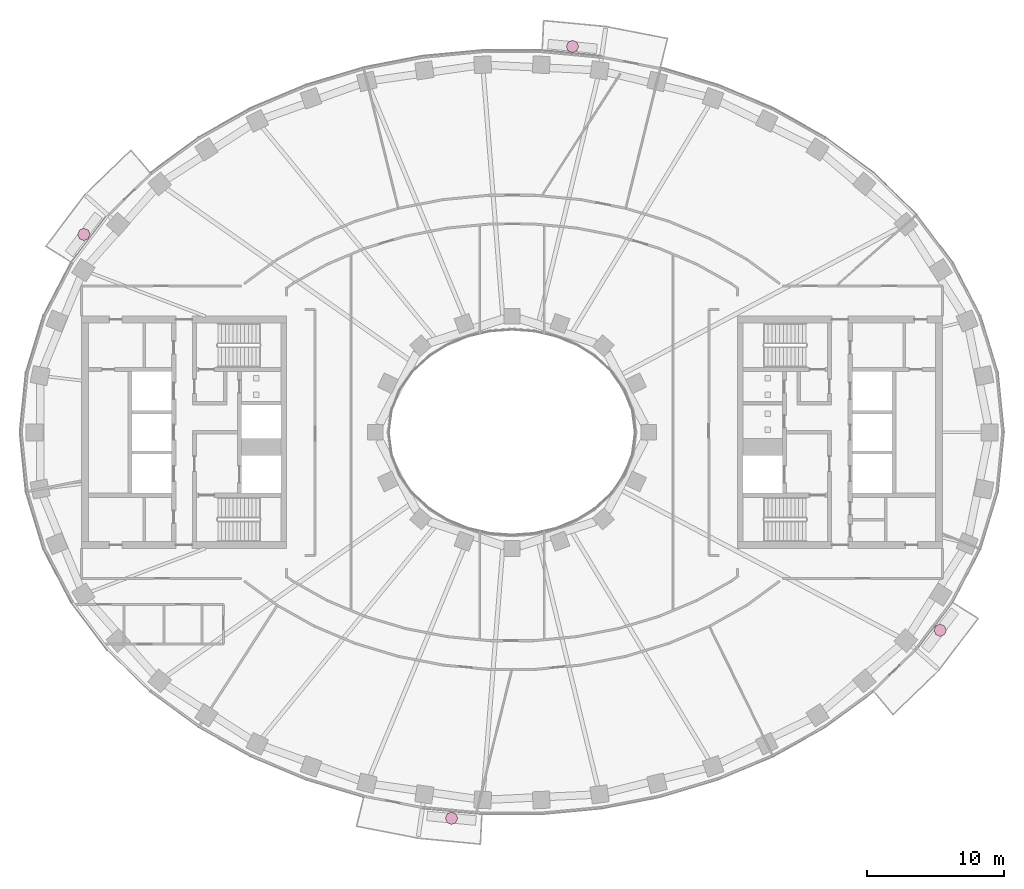
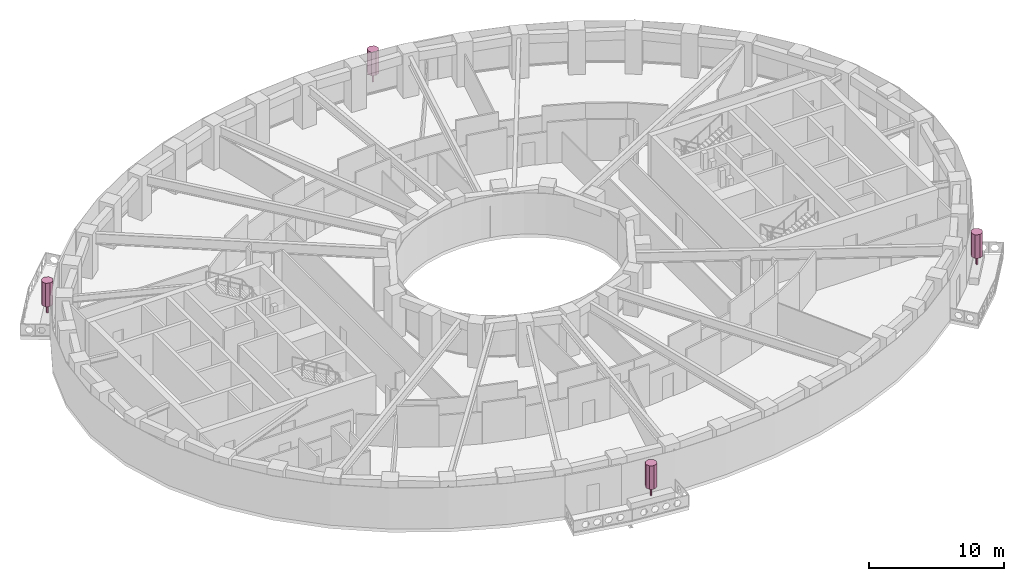
# One storey, part 16 of 16: 4 furnishings.
"""IFC4 building model written with IfcOpenShell, lengths in metres."""

from ifc_helpers import new_model, si_unit, direction, frame, origin, origin_2d, place, context, subcontext, project, spatial, polyline, rectangle, outline, extrude, material, type_object, element, save


model = new_model("IFC4")

# Units and contexts
model_context = context("Model", 3, precision=1e-05, world=origin(), true_north=direction((0.0, 1.0)))
body_context = subcontext(model_context, "Body", "Model", "MODEL_VIEW")
ifc_project = project(units=[si_unit("LENGTHUNIT", "METRE"), si_unit("AREAUNIT", "SQUARE_METRE"), si_unit("VOLUMEUNIT", "CUBIC_METRE"), si_unit("PLANEANGLEUNIT", "RADIAN"), si_unit("MASSUNIT", "GRAM", prefix="KILO")], contexts=[model_context])

# Site, building, storey
site_placement = place(None, origin())
site = spatial("IfcSite", under=ifc_project, at=site_placement, CompositionType="ELEMENT")
building_placement = place(site_placement, origin())
building = spatial("IfcBuilding", under=site, at=building_placement, Name="Noorbagh Ring Tower", CompositionType="ELEMENT")
storey_placement = place(building_placement, frame((0.0, 0.0, 136.0)))
storey = spatial("IfcBuildingStorey", under=building, at=storey_placement, Name="L31", CompositionType="ELEMENT", Elevation=136.0)

# Furnishings
ifc_material = material(Name="Planting foliage green")
furnishing_element_type = type_object("IfcFurnishingElementType", Name="ENV-TREE", material=ifc_material)
for number, where, z_axis, x_axis, name in (
    (1, (4.423828125, 28.2373046875, 0.60009765625), (0.0, 0.0, 1.0), (1.0, 0.0, 0.0), "Tree BN03"),
    (2, (-31.329833984375, 14.4833984375, 0.60009765625), (0.0, 0.0, 1.0), (1.0, 0.0, 0.0), "Tree BN06"),
    (3, (-4.423828125, -28.2373046875, 0.60009765625), (0.0, 0.0, 1.0), (1.0, 0.0, 0.0), "Tree BS03"),
    (4, (31.329833984375, -14.4833984375, 0.60009765625), (0.0, 0.0, 1.0), (1.0, 0.0, 0.0), "Tree BS06"),
):
    element("IfcFurnishingElement", number, at=place(storey_placement, frame(where, z_axis=z_axis, x_axis=x_axis)), inside=storey, type_object=furnishing_element_type, Name=name, context=body_context, shape_type="SweptSolid", body=[
        extrude(rectangle(XDim=0.1201171875, YDim=0.1201171875, at=origin_2d()), origin(), (0.0, 0.0, 1.0), 0.825927734375),
        extrude(outline(polyline([(0.449951171875, 0.0), (0.318115234375, 0.318115234375), (0.0, 0.449951171875), (-0.318115234375, 0.318115234375), (-0.449951171875, 0.0), (-0.318115234375, -0.318115234375), (0.0, -0.449951171875), (0.318115234375, -0.318115234375), (0.449951171875, 0.0)])), frame((0.0, 0.0, 0.825927734375)), (0.0, 0.0, 1.0), 2.1240234375),
    ])

save(model, "model.ifc")
